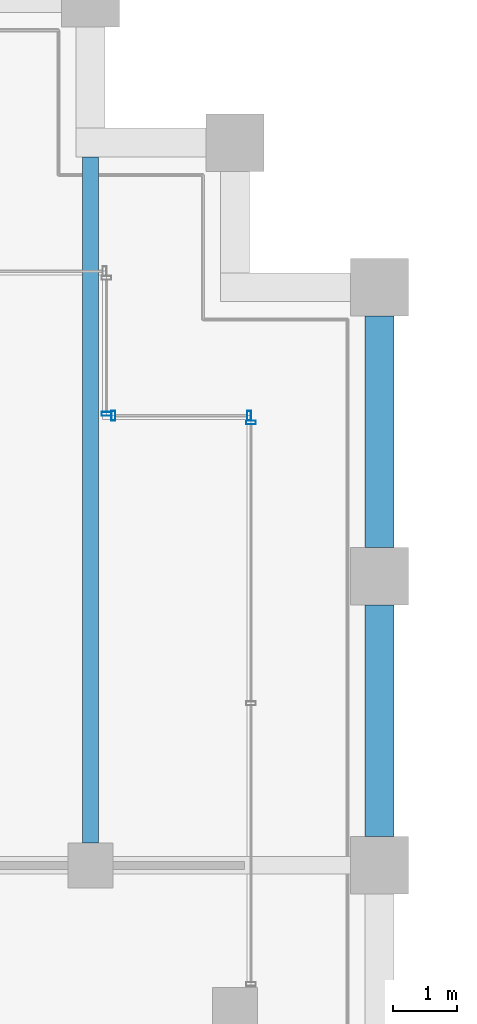
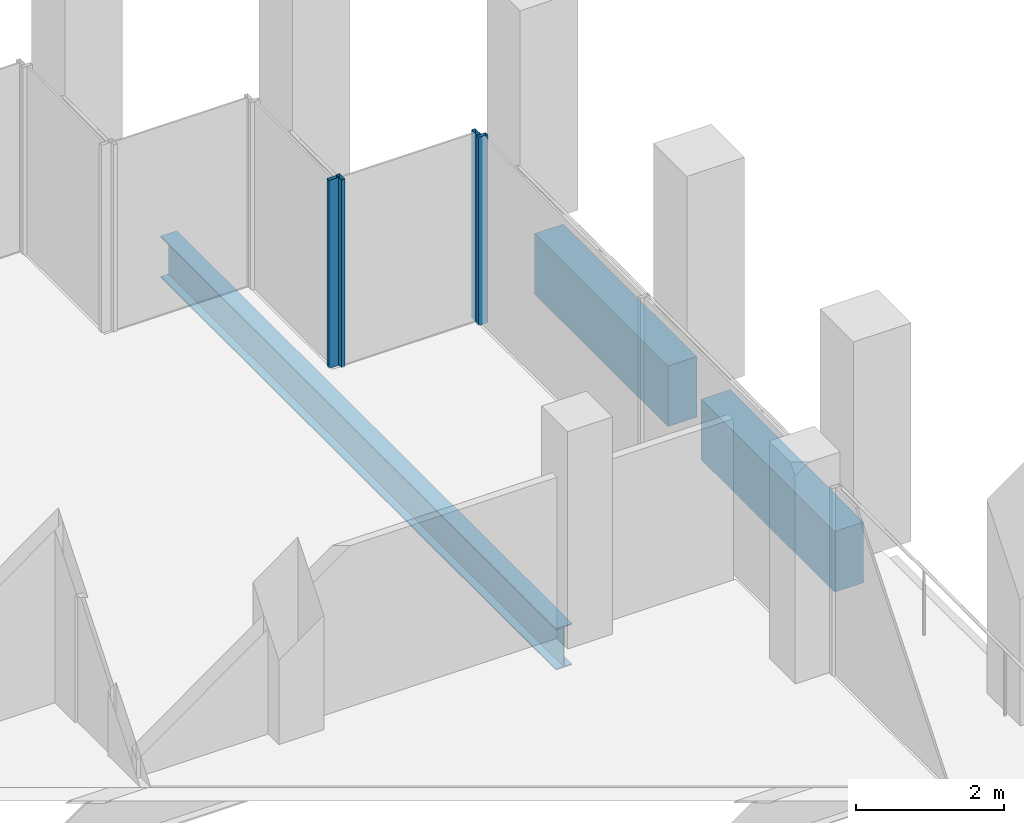
# One storey, part 25 of 40: 4 members, 3 beams, 3 elements without a shape of their own.
"""IFC4 building model written with IfcOpenShell, lengths in metres."""

from ifc_helpers import new_model, si_unit, direction, frame, origin, origin_2d, place, context, subcontext, project, spatial, rectangle, hollow_rectangle, i_section, extrude, material, material_profile, profile_set, type_object, element, aggregate, save


model = new_model("IFC4")

# Units and contexts
model_context = context("Model", 3, precision=1e-05, world=origin(), true_north=direction((0.0, 1.0)))
body_context = subcontext(model_context, "Body", "Model", "MODEL_VIEW")
ifc_project = project(units=[si_unit("LENGTHUNIT", "METRE"), si_unit("AREAUNIT", "SQUARE_METRE"), si_unit("VOLUMEUNIT", "CUBIC_METRE"), si_unit("PLANEANGLEUNIT", "RADIAN"), si_unit("MASSUNIT", "GRAM", prefix="KILO")], contexts=[model_context])

# Site, building, storey
site_placement = place(None, origin())
site = spatial("IfcSite", under=ifc_project, at=site_placement, CompositionType="ELEMENT")
building_placement = place(site_placement, origin())
building = spatial("IfcBuilding", under=site, at=building_placement, Name="Altepetl Exchange Towers", CompositionType="ELEMENT")
storey_placement = place(building_placement, frame((0.0, 0.0, 169.0)))
storey = spatial("IfcBuildingStorey", under=building, at=storey_placement, Name="L42", CompositionType="ELEMENT", Elevation=169.0)

# Beam
ifc_material_1 = material(Name="Steel S355", Category="steel")
ifc_material_profile_1 = material_profile(ifc_material_1, i_section(OverallWidth=0.25390625, OverallDepth=0.68408203125, WebThickness=0.012451171875, FlangeThickness=0.018798828125, at=origin_2d()), Name="W27X94")
ifc_profile_set_1 = profile_set([ifc_material_profile_1], Name="Steel S355")
beam_type_1 = type_object("IfcBeamType", Name="Floor beam W27X94", PredefinedType="BEAM", material=ifc_profile_set_1)
beam_placement = place(storey_placement, frame((67.5, 58.85009765625, -0.491943359375), z_axis=(0.0, 1.0, 0.0), x_axis=(-1.0, 0.0, 0.0)))
element("IfcBeam", 1, at=beam_placement, inside=storey, type_object=beam_type_1, Name="bm:A:L42:005", PredefinedType="BEAM", context=body_context, shape_type="SweptSolid", body=[
    extrude(i_section(OverallWidth=0.25390625, OverallDepth=0.68408203125, WebThickness=0.012451171875, FlangeThickness=0.018798828125, at=origin_2d()), origin(), (0.0, 0.0, 1.0), 10.6748046875),
])

# Curtain wall, member
ifc_material_2 = material(Name="Aluminium 6063-T6 glazing", Category="aluminium")
curtain_wall_type = type_object("IfcCurtainWallType", Name="Loggia glazing system", PredefinedType="NOTDEFINED", material=ifc_material_2)
curtain_wall_1_placement = place(storey_placement, origin())
curtain_wall_1 = element("IfcCurtainWall", 2, at=curtain_wall_1_placement, inside=storey, type_object=curtain_wall_type, Name="CW1 run", PredefinedType="NOTDEFINED")
ifc_material_3 = material(Name="Aluminium 6063-T6", Category="aluminium")
ifc_material_profile_2 = material_profile(ifc_material_3, hollow_rectangle(XDim=0.06005859375, YDim=0.14990234375, WallThickness=0.0029296875, at=origin_2d()), Name="Mullion 60x150 aluminium")
ifc_profile_set_2 = profile_set([ifc_material_profile_2], Name="Aluminium 6063-T6")
member_type = type_object("IfcMemberType", Name="Mullion 60x150 aluminium", PredefinedType="MULLION", material=ifc_profile_set_2)
member_1_placement = place(storey_placement, frame((70.0, 65.39501953125, 0.0), z_axis=(0.0, 0.0, 1.0), x_axis=(0.0, 1.0, 0.0)))
member_1 = element("IfcMember", 3, at=member_1_placement, type_object=member_type, Name="MU1 mullion", PredefinedType="MULLION", context=body_context, shape_type="SweptSolid", body=[
    extrude(hollow_rectangle(XDim=0.06005859375, YDim=0.14990234375, WallThickness=0.0029296875, at=origin_2d()), origin(), (0.0, 0.0, 1.0), 3.10009765625),
])
aggregate(curtain_wall_1, [member_1])

# Curtain wall, members
curtain_wall_2_placement = place(storey_placement, origin())
curtain_wall_2 = element("IfcCurtainWall", 4, at=curtain_wall_2_placement, inside=storey, type_object=curtain_wall_type, Name="CW1 run", PredefinedType="NOTDEFINED")
member_2_placement = place(storey_placement, frame((69.969970703125, 65.5, 0.0), z_axis=(0.0, 0.0, 1.0), x_axis=(-1.0, 0.0, 0.0)))
member_2 = element("IfcMember", 5, at=member_2_placement, type_object=member_type, Name="MU1 mullion", PredefinedType="MULLION", context=body_context, shape_type="SweptSolid", body=[
    extrude(hollow_rectangle(XDim=0.06005859375, YDim=0.14990234375, WallThickness=0.0029296875, at=origin_2d()), origin(), (0.0, 0.0, 1.0), 3.10009765625),
])
member_3_placement = place(storey_placement, frame((67.85498046875, 65.5, 0.0), z_axis=(0.0, 0.0, 1.0), x_axis=(-1.0, 0.0, 0.0)))
member_3 = element("IfcMember", 6, at=member_3_placement, type_object=member_type, Name="MU1 mullion", PredefinedType="MULLION", context=body_context, shape_type="SweptSolid", body=[
    extrude(hollow_rectangle(XDim=0.06005859375, YDim=0.14990234375, WallThickness=0.0029296875, at=origin_2d()), origin(), (0.0, 0.0, 1.0), 3.10009765625),
])
aggregate(curtain_wall_2, [member_2, member_3])

# Curtain wall, member
curtain_wall_3_placement = place(storey_placement, origin())
curtain_wall_3 = element("IfcCurtainWall", 7, at=curtain_wall_3_placement, inside=storey, type_object=curtain_wall_type, Name="CW1 run", PredefinedType="NOTDEFINED")
member_4_placement = place(storey_placement, frame((67.75, 65.530029296875, 0.0), z_axis=(0.0, 0.0, 1.0), x_axis=(0.0, 1.0, 0.0)))
member_4 = element("IfcMember", 8, at=member_4_placement, type_object=member_type, Name="MU1 mullion", PredefinedType="MULLION", context=body_context, shape_type="SweptSolid", body=[
    extrude(hollow_rectangle(XDim=0.06005859375, YDim=0.14990234375, WallThickness=0.0029296875, at=origin_2d()), origin(), (0.0, 0.0, 1.0), 3.10009765625),
])
aggregate(curtain_wall_3, [member_4])

# Beams
ifc_material_4 = material(Name="Concrete C50/60 precast with cantera rosa facing", Category="concrete")
ifc_material_profile_3 = material_profile(ifc_material_4, rectangle(XDim=0.449951171875, YDim=1.0, at=origin_2d()), Name="450 x 1000")
ifc_profile_set_3 = profile_set([ifc_material_profile_3], Name="Concrete C50/60 precast with cantera rosa facing")
beam_type_2 = type_object("IfcBeamType", Name="Spandrel beam 450x1000 cantera rosa", PredefinedType="SPANDREL", material=ifc_profile_set_3)
for number, where, z_axis, x_axis, name in (
    (9, (72.0, 58.949951171875, -0.64990234375), (0.0, 1.0, 0.0), (-1.0, 0.0, 0.0), "sp:A:L42:018"),
    (10, (72.0, 63.449951171875, -0.64990234375), (0.0, 1.0, 0.0), (-1.0, 0.0, 0.0), "sp:A:L42:019"),
):
    element("IfcBeam", number, at=place(storey_placement, frame(where, z_axis=z_axis, x_axis=x_axis)), inside=storey, type_object=beam_type_2, Name=name, PredefinedType="SPANDREL", context=body_context, shape_type="SweptSolid", body=[
        extrude(rectangle(XDim=0.449951171875, YDim=1.0, at=origin_2d()), origin(), (0.0, 0.0, 1.0), 3.60009765625),
    ])

save(model, "model.ifc")
